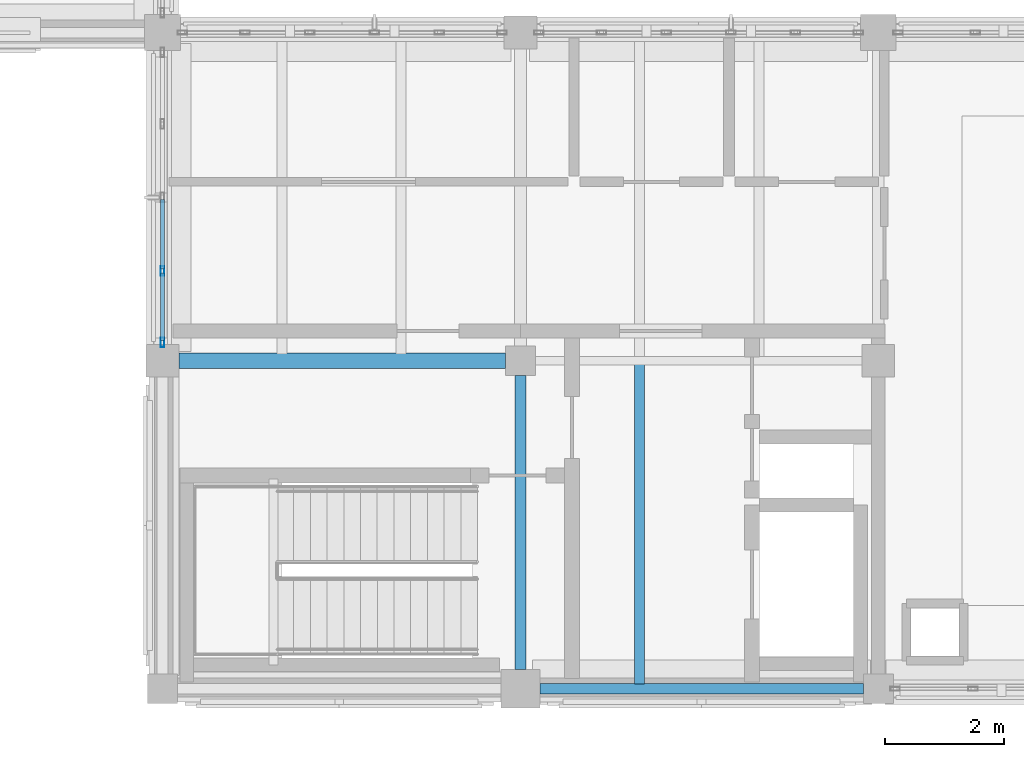
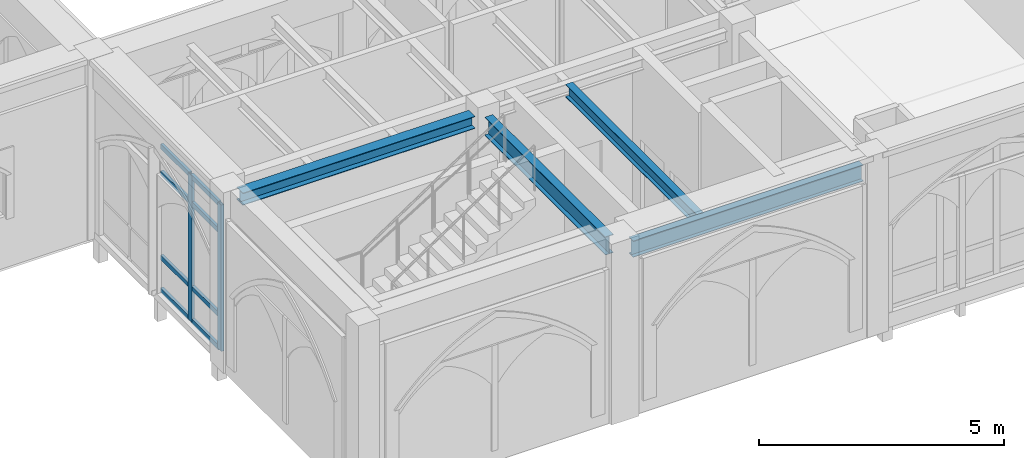
# One storey, part 4 of 127: 10 members, 4 beams, 1 element without a shape of its own.
"""IFC4 building model written with IfcOpenShell, lengths in metres."""

from ifc_helpers import new_model, si_unit, direction, frame, origin, origin_2d, place, context, subcontext, project, spatial, hollow_rectangle, i_section, extrude, material, layer, layer_set, material_profile, profile_set, type_object, element, aggregate, save


model = new_model("IFC4")

# Units and contexts
model_context = context("Model", 3, precision=1e-05, world=origin(), true_north=direction((0.0, 1.0)))
body_context = subcontext(model_context, "Body", "Model", "MODEL_VIEW")
ifc_project = project(units=[si_unit("LENGTHUNIT", "METRE"), si_unit("AREAUNIT", "SQUARE_METRE"), si_unit("VOLUMEUNIT", "CUBIC_METRE"), si_unit("PLANEANGLEUNIT", "RADIAN"), si_unit("MASSUNIT", "GRAM", prefix="KILO")], contexts=[model_context])

# Site, building, storey
site_placement = place(None, origin())
site = spatial("IfcSite", under=ifc_project, at=site_placement, CompositionType="ELEMENT")
building_placement = place(site_placement, origin())
building = spatial("IfcBuilding", under=site, at=building_placement, Name="Cumevento Cable Car Station", CompositionType="ELEMENT")
storey_placement = place(building_placement, frame((0.0, 0.0, 4.5)))
storey = spatial("IfcBuildingStorey", under=building, at=storey_placement, Name="L02", CompositionType="ELEMENT", Elevation=4.5)

# Curtain wall, members
ifc_material_1 = material(Name="Anodised Bronze Aluminium AW-6063-T6", Category="aluminium")
ifc_layer = layer(ifc_material_1, 0.2080078125)
ifc_layer_set = layer_set([ifc_layer], Name="Anodised Bronze Aluminium AW-6063-T6")
curtain_wall_type = type_object("IfcCurtainWallType", Name="Lancet Curtain Wall CW-09 1370", PredefinedType="NOTDEFINED", material=ifc_layer_set)
curtain_wall_placement = place(storey_placement, origin())
curtain_wall = element("IfcCurtainWall", 1, at=curtain_wall_placement, inside=storey, type_object=curtain_wall_type, Name="Lancet Curtain Wall CW-09 L02 #24", PredefinedType="NOTDEFINED")
ifc_material_2 = material(Name="Anodised Bronze Aluminium AW-6063-T6", Category="aluminium")
ifc_material_profile_1 = material_profile(ifc_material_2, hollow_rectangle(XDim=0.06494140625, YDim=0.159912109375, WallThickness=0.00390625, at=origin_2d()), Name="ALUM65x160x4")
ifc_profile_set_1 = profile_set([ifc_material_profile_1], Name="Anodised Bronze Aluminium AW-6063-T6")
member_type_1 = type_object("IfcMemberType", Name="Curtain Mullion CWM-01 ALUM65x160x4", PredefinedType="MULLION", material=ifc_profile_set_1)
member_1_placement = place(storey_placement, frame((22.0, 9.8076171875, 0.159912109375), z_axis=(0.0, 0.0, 1.0), x_axis=(-1.0, 0.0, 0.0)))
member_1 = element("IfcMember", 2, at=member_1_placement, type_object=member_type_1, Name="CW-09 mullion 1", PredefinedType="MULLION", context=body_context, shape_type="SweptSolid", body=[
    extrude(hollow_rectangle(XDim=0.06494140625, YDim=0.159912109375, WallThickness=0.00390625, at=origin_2d()), origin(), (0.0, 0.0, 1.0), 3.649169921875),
])
member_2_placement = place(storey_placement, frame((22.0, 11.00634765625, 0.159912109375), z_axis=(0.0, 0.0, 1.0), x_axis=(-1.0, 0.0, 0.0)))
member_2 = element("IfcMember", 3, at=member_2_placement, type_object=member_type_1, Name="CW-09 mullion 2", PredefinedType="MULLION", context=body_context, shape_type="SweptSolid", body=[
    extrude(hollow_rectangle(XDim=0.06494140625, YDim=0.159912109375, WallThickness=0.00390625, at=origin_2d()), origin(), (0.0, 0.0, 1.0), 3.649169921875),
])
ifc_material_3 = material(Name="Anodised Bronze Aluminium AW-6063-T6", Category="aluminium")
ifc_material_profile_2 = material_profile(ifc_material_3, hollow_rectangle(XDim=0.06494140625, YDim=0.1201171875, WallThickness=0.00390625, at=origin_2d()), Name="ALUT65x120x4")
ifc_profile_set_2 = profile_set([ifc_material_profile_2], Name="Anodised Bronze Aluminium AW-6063-T6")
member_type_2 = type_object("IfcMemberType", Name="Curtain Transom CWT-01 ALUT65x120x4", PredefinedType="USERDEFINED", material=ifc_profile_set_2)
member_3_placement = place(storey_placement, frame((22.0, 9.840087890625, 0.1923828125), z_axis=(0.0, 1.0, 0.0), x_axis=(-1.0, 0.0, 0.0)))
member_3 = element("IfcMember", 4, at=member_3_placement, type_object=member_type_2, Name="CW-09 transom 1.1", ObjectType="TRANSOM", PredefinedType="USERDEFINED", context=body_context, shape_type="SweptSolid", body=[
    extrude(hollow_rectangle(XDim=0.06494140625, YDim=0.1201171875, WallThickness=0.00390625, at=origin_2d()), origin(), (0.0, 0.0, 1.0), 1.133544921875),
])
member_4_placement = place(storey_placement, frame((22.0, 9.840087890625, 1.010009765625), z_axis=(0.0, 1.0, 0.0), x_axis=(-1.0, 0.0, 0.0)))
member_4 = element("IfcMember", 5, at=member_4_placement, type_object=member_type_2, Name="CW-09 transom 1.2", ObjectType="TRANSOM", PredefinedType="USERDEFINED", context=body_context, shape_type="SweptSolid", body=[
    extrude(hollow_rectangle(XDim=0.06494140625, YDim=0.1201171875, WallThickness=0.00390625, at=origin_2d()), origin(), (0.0, 0.0, 1.0), 1.133544921875),
])
member_5_placement = place(storey_placement, frame((22.0, 9.840087890625, 3.10888671875), z_axis=(0.0, 1.0, 0.0), x_axis=(-1.0, 0.0, 0.0)))
member_5 = element("IfcMember", 6, at=member_5_placement, type_object=member_type_2, Name="CW-09 transom 1.3", ObjectType="TRANSOM", PredefinedType="USERDEFINED", context=body_context, shape_type="SweptSolid", body=[
    extrude(hollow_rectangle(XDim=0.06494140625, YDim=0.1201171875, WallThickness=0.00390625, at=origin_2d()), origin(), (0.0, 0.0, 1.0), 1.133544921875),
])
member_6_placement = place(storey_placement, frame((22.0, 9.840087890625, 3.776611328125), z_axis=(0.0, 1.0, 0.0), x_axis=(-1.0, 0.0, 0.0)))
member_6 = element("IfcMember", 7, at=member_6_placement, type_object=member_type_2, Name="CW-09 transom 1.4", ObjectType="TRANSOM", PredefinedType="USERDEFINED", context=body_context, shape_type="SweptSolid", body=[
    extrude(hollow_rectangle(XDim=0.06494140625, YDim=0.1201171875, WallThickness=0.00390625, at=origin_2d()), origin(), (0.0, 0.0, 1.0), 1.133544921875),
])
member_7_placement = place(storey_placement, frame((22.0, 11.038818359375, 0.1923828125), z_axis=(0.0, 1.0, 0.0), x_axis=(-1.0, 0.0, 0.0)))
member_7 = element("IfcMember", 8, at=member_7_placement, type_object=member_type_2, Name="CW-09 transom 2.1", ObjectType="TRANSOM", PredefinedType="USERDEFINED", context=body_context, shape_type="SweptSolid", body=[
    extrude(hollow_rectangle(XDim=0.06494140625, YDim=0.1201171875, WallThickness=0.00390625, at=origin_2d()), origin(), (0.0, 0.0, 1.0), 1.166259765625),
])
member_8_placement = place(storey_placement, frame((22.0, 11.038818359375, 1.010009765625), z_axis=(0.0, 1.0, 0.0), x_axis=(-1.0, 0.0, 0.0)))
member_8 = element("IfcMember", 9, at=member_8_placement, type_object=member_type_2, Name="CW-09 transom 2.2", ObjectType="TRANSOM", PredefinedType="USERDEFINED", context=body_context, shape_type="SweptSolid", body=[
    extrude(hollow_rectangle(XDim=0.06494140625, YDim=0.1201171875, WallThickness=0.00390625, at=origin_2d()), origin(), (0.0, 0.0, 1.0), 1.166259765625),
])
member_9_placement = place(storey_placement, frame((22.0, 11.038818359375, 3.10888671875), z_axis=(0.0, 1.0, 0.0), x_axis=(-1.0, 0.0, 0.0)))
member_9 = element("IfcMember", 10, at=member_9_placement, type_object=member_type_2, Name="CW-09 transom 2.3", ObjectType="TRANSOM", PredefinedType="USERDEFINED", context=body_context, shape_type="SweptSolid", body=[
    extrude(hollow_rectangle(XDim=0.06494140625, YDim=0.1201171875, WallThickness=0.00390625, at=origin_2d()), origin(), (0.0, 0.0, 1.0), 1.166259765625),
])
member_10_placement = place(storey_placement, frame((22.0, 11.038818359375, 3.776611328125), z_axis=(0.0, 1.0, 0.0), x_axis=(-1.0, 0.0, 0.0)))
member_10 = element("IfcMember", 11, at=member_10_placement, type_object=member_type_2, Name="CW-09 transom 2.4", ObjectType="TRANSOM", PredefinedType="USERDEFINED", context=body_context, shape_type="SweptSolid", body=[
    extrude(hollow_rectangle(XDim=0.06494140625, YDim=0.1201171875, WallThickness=0.00390625, at=origin_2d()), origin(), (0.0, 0.0, 1.0), 1.166259765625),
])
aggregate(curtain_wall, [member_1, member_2, member_3, member_4, member_5, member_6, member_7, member_8, member_9, member_10])

# Beams
ifc_material_4 = material(Name="Steel ASTM A572 Grade 50", Category="steel")
ifc_material_profile_3 = material_profile(ifc_material_4, i_section(OverallWidth=0.18994140625, OverallDepth=0.45703125, WebThickness=0.009033203125, FlangeThickness=0.014404296875, at=origin_2d()), Name="W460x74.0")
ifc_profile_set_3 = profile_set([ifc_material_profile_3], Name="Steel ASTM A572 Grade 50")
beam_type_1 = type_object("IfcBeamType", Name="Structural Beam BM-04 W460x74.0", PredefinedType="BEAM", material=ifc_profile_set_3)
beam_1_placement = place(storey_placement, frame((28.0, 4.324951171875, 3.987548828125), z_axis=(0.0, 1.0, 0.0), x_axis=(-1.0, 0.0, 0.0)))
element("IfcBeam", 12, at=beam_1_placement, inside=storey, type_object=beam_type_1, Name="Beam BM-04 L02 #443", PredefinedType="BEAM", context=body_context, shape_type="SweptSolid", body=[
    extrude(i_section(OverallWidth=0.18994140625, OverallDepth=0.45703125, WebThickness=0.009033203125, FlangeThickness=0.014404296875, at=origin_2d()), origin(), (0.0, 0.0, 1.0), 4.925048828125),
])
ifc_material_5 = material(Name="Steel ASTM A572 Grade 50", Category="steel")
ifc_material_profile_4 = material_profile(ifc_material_5, i_section(OverallWidth=0.25390625, OverallDepth=0.305908203125, WebThickness=0.0087890625, FlangeThickness=0.0146484375, at=origin_2d()), Name="W310x79.0")
ifc_profile_set_4 = profile_set([ifc_material_profile_4], Name="Steel ASTM A572 Grade 50")
beam_type_2 = type_object("IfcBeamType", Name="Structural Beam BM-06 W310x79.0", PredefinedType="BEAM", material=ifc_profile_set_4)
beam_2_placement = place(storey_placement, frame((22.27490234375, 9.5, 4.06298828125), z_axis=(1.0, 0.0, 0.0), x_axis=(0.0, 1.0, 0.0)))
element("IfcBeam", 13, at=beam_2_placement, inside=storey, type_object=beam_type_2, Name="Beam BM-06 L02 #435", PredefinedType="BEAM", context=body_context, shape_type="SweptSolid", body=[
    extrude(i_section(OverallWidth=0.25390625, OverallDepth=0.305908203125, WebThickness=0.0087890625, FlangeThickness=0.0146484375, at=origin_2d()), origin(), (0.0, 0.0, 1.0), 5.47509765625),
])
ifc_material_6 = material(Name="Steel ASTM A572 Grade 50", Category="steel")
ifc_material_profile_5 = material_profile(ifc_material_6, i_section(OverallWidth=0.1669921875, OverallDepth=0.31689453125, WebThickness=0.007568359375, FlangeThickness=0.01318359375, at=origin_2d()), Name="W310x52.0")
ifc_profile_set_5 = profile_set([ifc_material_profile_5], Name="Steel ASTM A572 Grade 50")
beam_type_3 = type_object("IfcBeamType", Name="Structural Joist JS-02 W310x52.0", PredefinedType="JOIST", material=ifc_profile_set_5)
beam_3_placement = place(storey_placement, frame((30.0, 4.076904296875, 4.0576171875), z_axis=(0.0, 1.0, 0.0), x_axis=(-1.0, 0.0, 0.0)))
element("IfcBeam", 14, at=beam_3_placement, inside=storey, type_object=beam_type_3, Name="Composite Floor Joist JS-02 L02 #731", PredefinedType="JOIST", context=body_context, shape_type="SweptSolid", body=[
    extrude(i_section(OverallWidth=0.1669921875, OverallDepth=0.31689453125, WebThickness=0.007568359375, FlangeThickness=0.01318359375, at=origin_2d()), origin(), (0.0, 0.0, 1.0), 5.361083984375),
])
ifc_material_7 = material(Name="Steel ASTM A572 Grade 50", Category="steel")
ifc_material_profile_6 = material_profile(ifc_material_7, i_section(OverallWidth=0.177978515625, OverallDepth=0.406982421875, WebThickness=0.0078125, FlangeThickness=0.0126953125, at=origin_2d()), Name="W410x60.0")
ifc_profile_set_6 = profile_set([ifc_material_profile_6], Name="Steel ASTM A572 Grade 50")
beam_type_4 = type_object("IfcBeamType", Name="Structural Spandrel SP-01 W410x60.0", PredefinedType="SPANDREL", material=ifc_profile_set_6)
beam_4_placement = place(storey_placement, frame((28.324951171875, 4.0, 4.012451171875), z_axis=(1.0, 0.0, 0.0), x_axis=(0.0, 1.0, 0.0)))
element("IfcBeam", 15, at=beam_4_placement, inside=storey, type_object=beam_type_4, Name="Beam SP-01 L02 #432", PredefinedType="SPANDREL", context=body_context, shape_type="SweptSolid", body=[
    extrude(i_section(OverallWidth=0.177978515625, OverallDepth=0.406982421875, WebThickness=0.0078125, FlangeThickness=0.0126953125, at=origin_2d()), origin(), (0.0, 0.0, 1.0), 5.425048828125),
])

save(model, "model.ifc")
